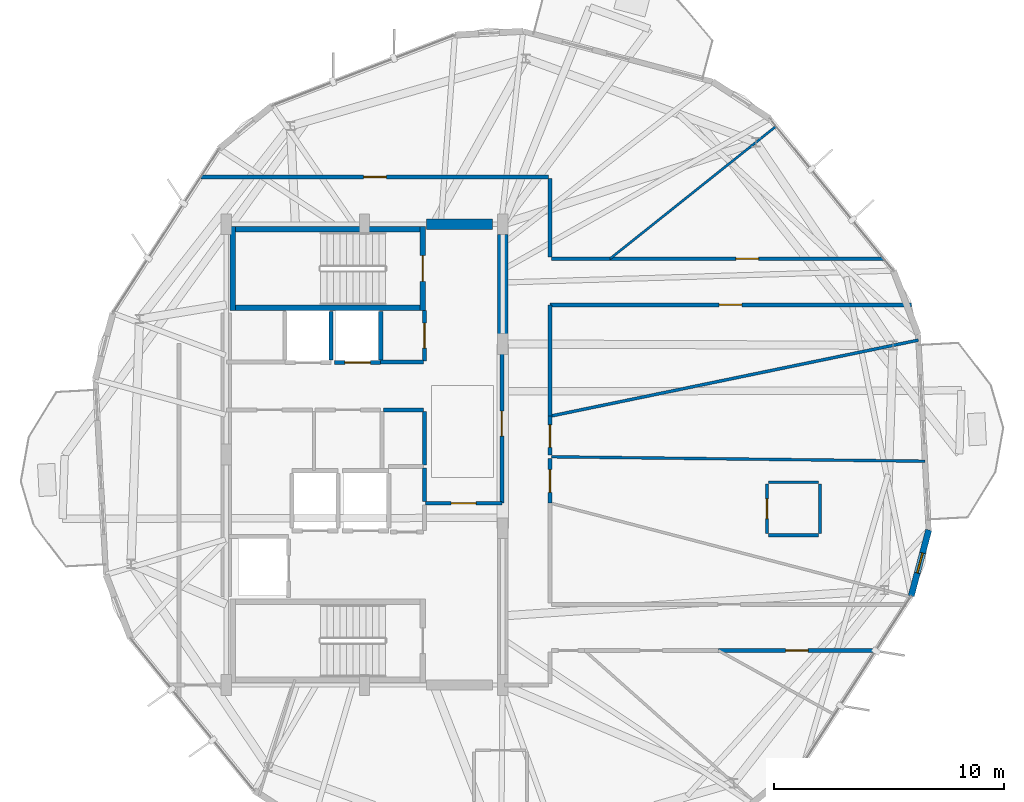
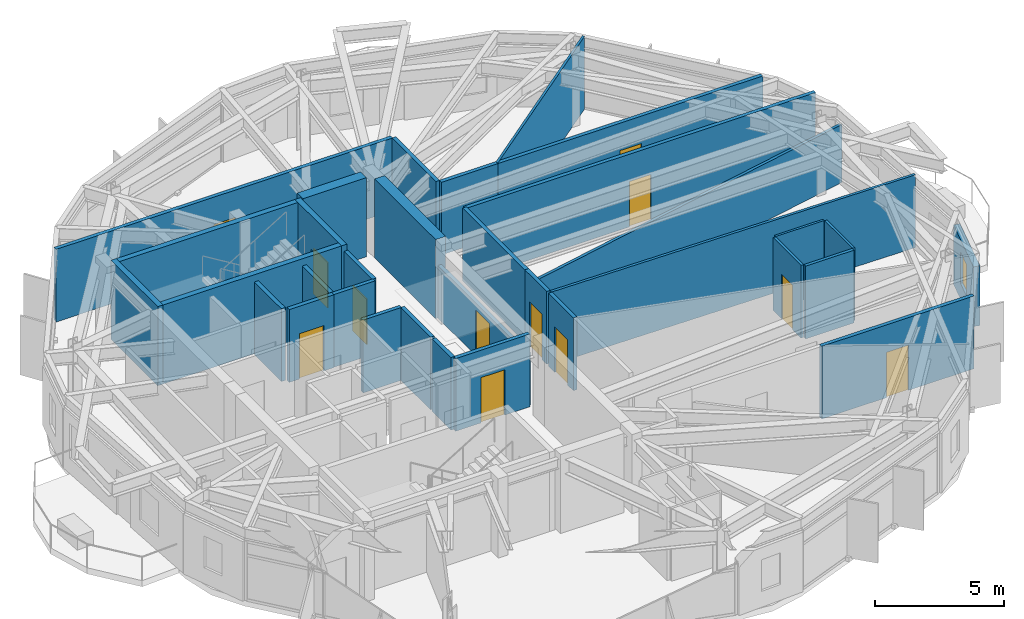
# One storey, part 22 of 26: 33 walls, 12 doors, 1 window, 13 openings.
"""IFC4 building model written with IfcOpenShell, lengths in metres."""

from ifc_helpers import new_model, si_unit, direction, frame, frame_2d, origin, place, context, subcontext, project, spatial, rectangle, extrude, material, layer, layer_set, type_object, element, fill, save


model = new_model("IFC4")

# Units and contexts
model_context = context("Model", 3, precision=1e-05, world=origin(), true_north=direction((0.0, 1.0)))
body_context = subcontext(model_context, "Body", "Model", "MODEL_VIEW")
ifc_project = project(units=[si_unit("LENGTHUNIT", "METRE"), si_unit("AREAUNIT", "SQUARE_METRE"), si_unit("VOLUMEUNIT", "CUBIC_METRE"), si_unit("PLANEANGLEUNIT", "RADIAN"), si_unit("MASSUNIT", "GRAM", prefix="KILO")], contexts=[model_context])

# Site, building, storey
site_placement = place(None, origin())
site = spatial("IfcSite", under=ifc_project, at=site_placement, CompositionType="ELEMENT")
building_placement = place(site_placement, origin())
building = spatial("IfcBuilding", under=site, at=building_placement, Name="Soratama Intermodal Tower", CompositionType="ELEMENT")
storey_placement = place(building_placement, frame((0.0, 0.0, 242.5)))
storey = spatial("IfcBuildingStorey", under=building, at=storey_placement, Name="L61", CompositionType="ELEMENT", Elevation=242.5)

# Wall, opening, window
ifc_material_1 = material(Name="Concrete f'c 42 MPa", Category="concrete")
ifc_layer_1 = layer(ifc_material_1, 0.27001953125)
ifc_layer_set_1 = layer_set([ifc_layer_1], Name="Concrete f'c 42 MPa")
wall_type_1 = type_object("IfcWallType", Name="EW-CRN-270", PredefinedType="SOLIDWALL", material=ifc_layer_set_1)
wall_1_placement = place(storey_placement, frame((62.322998046875, 18.862548828125, 0.0), z_axis=(0.0, 0.0, 1.0), x_axis=(0.256781470725, 0.966469490616, 0.0)))
wall_1 = element("IfcWall", 1, at=wall_1_placement, inside=storey, type_object=wall_type_1, Name="L61 Corner Closure Wall 08", PredefinedType="SOLIDWALL", context=body_context, shape_type="SweptSolid", body=[
    extrude(rectangle(XDim=2.96630859375, YDim=0.27001953125, at=frame_2d((1.483154296875, 0.0))), origin(), (0.0, 0.0, 1.0), 2.8291015625),
])
opening_1_placement = place(wall_1_placement, frame((1.033203125, 0.0, 0.75)))
opening_1 = element("IfcOpeningElement", 2, at=opening_1_placement, cuts=wall_1, Name="Opening WN-6", PredefinedType="OPENING", context=body_context, shape_type="SweptSolid", body=[
    extrude(rectangle(XDim=0.89990234375, YDim=1.5, at=frame_2d((0.449951171875, 0.75))), frame((0.0, 0.14501953125, 0.0), z_axis=(0.0, -1.0, 0.0), x_axis=(1.0, 0.0, 0.0)), (0.0, 0.0, 1.0), 0.2900390625),
])
ifc_material_2 = material(Name="Double-glazed aluminium window", Category="aluminium")
window_type = type_object("IfcWindowType", Name="WN-FAC-900", PartitioningType="SINGLE_PANEL", PredefinedType="WINDOW", material=ifc_material_2)
window_placement = place(opening_1_placement, origin())
window = element("IfcWindow", 3, at=window_placement, inside=storey, type_object=window_type, Name="L61 Corner Window 08", OverallHeight=1.5, OverallWidth=0.89990234375, PartitioningType="SINGLE_PANEL", PredefinedType="WINDOW", context=body_context, shape_type="SweptSolid", body=[
    extrude(rectangle(XDim=0.89990234375, YDim=1.5, at=frame_2d((0.449951171875, 0.75))), frame((0.0, 0.030029296875, 0.0), z_axis=(0.0, -1.0, 0.0), x_axis=(1.0, 0.0, 0.0)), (0.0, 0.0, 1.0), 0.06005859375),
])
fill(opening_1, window)

# Wall, opening, door
ifc_material_3 = material(Name="Fire-rated gypsum stud partition", Category="concrete")
ifc_layer_2 = layer(ifc_material_3, 0.169921875)
ifc_layer_set_2 = layer_set([ifc_layer_2], Name="Fire-rated gypsum stud partition")
wall_type_2 = type_object("IfcWallType", Name="IW-PART-R170", PredefinedType="PARTITIONING", material=ifc_layer_set_2)
wall_2_placement = place(storey_placement, frame((62.345947265625, 31.5, 0.0), z_axis=(0.0, 0.0, 1.0), x_axis=(-1.0, 0.0, 0.0)))
wall_2 = element("IfcWall", 4, at=wall_2_placement, inside=storey, type_object=wall_type_2, Name="L61 Partition W-L61-TP004", PredefinedType="PARTITIONING", context=body_context, shape_type="SweptSolid", body=[
    extrude(rectangle(XDim=15.696044921875, YDim=0.169921875, at=frame_2d((7.84814453125, 0.0))), origin(), (0.0, 0.0, 1.0), 3.449951171875),
])
opening_2_placement = place(wall_2_placement, frame((7.373046875, 0.0, 0.0)))
opening_2 = element("IfcOpeningElement", 5, at=opening_2_placement, cuts=wall_2, Name="Opening ID-5", PredefinedType="OPENING", context=body_context, shape_type="SweptSolid", body=[
    extrude(rectangle(XDim=0.97998046875, YDim=2.14990234375, at=frame_2d((0.489990234375, 1.074951171875))), frame((0.0, 0.094970703125, 0.0), z_axis=(0.0, -1.0, 0.0), x_axis=(1.0, 0.0, 0.0)), (0.0, 0.0, 1.0), 0.18994140625),
])
ifc_material_4 = material(Name="Solid hardwood acoustic door", Category="wood")
door_type_1 = type_object("IfcDoorType", Name="DR-OFF-980", OperationType="NOTDEFINED", PredefinedType="DOOR", material=ifc_material_4)
door_1_placement = place(opening_2_placement, origin())
door_1 = element("IfcDoor", 6, at=door_1_placement, inside=storey, type_object=door_type_1, Name="L61 Door D-L61-TP001", OperationType="SINGLE_SWING_RIGHT", OverallHeight=2.14990234375, OverallWidth=0.97998046875, PredefinedType="DOOR", context=body_context, shape_type="SweptSolid", body=[
    extrude(rectangle(XDim=0.97998046875, YDim=2.14990234375, at=frame_2d((0.489990234375, 1.074951171875))), frame((0.0, 0.02490234375, 0.0), z_axis=(0.0, -1.0, 0.0), x_axis=(1.0, 0.0, 0.0)), (0.0, 0.0, 1.0), 0.050048828125),
])
fill(opening_2, door_1)

wall_3_placement = place(storey_placement, frame((31.4990234375, 37.050048828125, 0.0), z_axis=(0.0, 0.0, 1.0), x_axis=(1.0, 0.0, 0.0)))
wall_3 = element("IfcWall", 7, at=wall_3_placement, inside=storey, type_object=wall_type_2, Name="L61 Partition W-L61-TP006", PredefinedType="PARTITIONING", context=body_context, shape_type="SweptSolid", body=[
    extrude(rectangle(XDim=15.0810546875, YDim=0.169921875, at=frame_2d((7.54052734375, 0.0))), origin(), (0.0, 0.0, 1.0), 3.449951171875),
])
opening_3_placement = place(wall_3_placement, frame((7.06591796875, 0.0, 0.0)))
opening_3 = element("IfcOpeningElement", 8, at=opening_3_placement, cuts=wall_3, Name="Opening ID-5", PredefinedType="OPENING", context=body_context, shape_type="SweptSolid", body=[
    extrude(rectangle(XDim=0.97998046875, YDim=2.14990234375, at=frame_2d((0.489990234375, 1.074951171875))), frame((0.0, 0.094970703125, 0.0), z_axis=(0.0, -1.0, 0.0), x_axis=(1.0, 0.0, 0.0)), (0.0, 0.0, 1.0), 0.18994140625),
])
door_2_placement = place(opening_3_placement, origin())
door_2 = element("IfcDoor", 9, at=door_2_placement, inside=storey, type_object=door_type_1, Name="L61 Door D-L61-TP003", OperationType="SINGLE_SWING_RIGHT", OverallHeight=2.14990234375, OverallWidth=0.97998046875, PredefinedType="DOOR", context=body_context, shape_type="SweptSolid", body=[
    extrude(rectangle(XDim=0.97998046875, YDim=2.14990234375, at=frame_2d((0.489990234375, 1.074951171875))), frame((0.0, 0.02490234375, 0.0), z_axis=(0.0, -1.0, 0.0), x_axis=(1.0, 0.0, 0.0)), (0.0, 0.0, 1.0), 0.050048828125),
])
fill(opening_3, door_2)

wall_4_placement = place(storey_placement, frame((49.25390625, 33.5, 0.0), z_axis=(0.0, 0.0, 1.0), x_axis=(1.0, 0.0, 0.0)))
wall_4 = element("IfcWall", 10, at=wall_4_placement, inside=storey, type_object=wall_type_2, Name="L61 Partition W-L61-TP007", PredefinedType="PARTITIONING", context=body_context, shape_type="SweptSolid", body=[
    extrude(rectangle(XDim=11.880126953125, YDim=0.169921875, at=frame_2d((5.93994140625, 0.0))), origin(), (0.0, 0.0, 1.0), 3.449951171875),
])
opening_4_placement = place(wall_4_placement, frame((5.465087890625, 0.0, 0.0)))
opening_4 = element("IfcOpeningElement", 11, at=opening_4_placement, cuts=wall_4, Name="Opening ID-5", PredefinedType="OPENING", context=body_context, shape_type="SweptSolid", body=[
    extrude(rectangle(XDim=0.97998046875, YDim=2.14990234375, at=frame_2d((0.489990234375, 1.074951171875))), frame((0.0, 0.094970703125, 0.0), z_axis=(0.0, -1.0, 0.0), x_axis=(1.0, 0.0, 0.0)), (0.0, 0.0, 1.0), 0.18994140625),
])
door_3_placement = place(opening_4_placement, origin())
door_3 = element("IfcDoor", 12, at=door_3_placement, inside=storey, type_object=door_type_1, Name="L61 Door D-L61-TP004", OperationType="SINGLE_SWING_LEFT", OverallHeight=2.14990234375, OverallWidth=0.97998046875, PredefinedType="DOOR", context=body_context, shape_type="SweptSolid", body=[
    extrude(rectangle(XDim=0.97998046875, YDim=2.14990234375, at=frame_2d((0.489990234375, 1.074951171875))), frame((0.0, 0.02490234375, 0.0), z_axis=(0.0, -1.0, 0.0), x_axis=(1.0, 0.0, 0.0)), (0.0, 0.0, 1.0), 0.050048828125),
])
fill(opening_4, door_3)

wall_5_placement = place(storey_placement, frame((44.56005859375, 29.800048828125, 0.0), z_axis=(0.0, 0.0, 1.0), x_axis=(0.0, -1.0, 0.0)))
wall_5 = element("IfcWall", 13, at=wall_5_placement, inside=storey, type_object=wall_type_2, Name="L61 Partition W-L61-TP010", PredefinedType="PARTITIONING", context=body_context, shape_type="SweptSolid", body=[
    extrude(rectangle(XDim=6.91015625, YDim=0.169921875, at=frame_2d((3.455078125, 0.0))), origin(), (0.0, 0.0, 1.0), 2.489990234375),
])
opening_5_placement = place(wall_5_placement, frame((2.9150390625, 0.0, 0.0)))
opening_5 = element("IfcOpeningElement", 14, at=opening_5_placement, cuts=wall_5, Name="Opening ID-1", PredefinedType="OPENING", context=body_context, shape_type="SweptSolid", body=[
    extrude(rectangle(XDim=1.080078125, YDim=2.14990234375, at=frame_2d((0.5400390625, 1.074951171875))), frame((0.0, 0.094970703125, 0.0), z_axis=(0.0, -1.0, 0.0), x_axis=(1.0, 0.0, 0.0)), (0.0, 0.0, 1.0), 0.18994140625),
])
ifc_material_5 = material(Name="Solid hardwood acoustic door", Category="wood")
door_type_2 = type_object("IfcDoorType", Name="DR-LOB-FD60", OperationType="NOTDEFINED", PredefinedType="DOOR", material=ifc_material_5)
door_4_placement = place(opening_5_placement, origin())
door_4 = element("IfcDoor", 15, at=door_4_placement, inside=storey, type_object=door_type_2, Name="L61 Door D-L61-TP005", OperationType="SINGLE_SWING_RIGHT", OverallHeight=2.14990234375, OverallWidth=1.080078125, PredefinedType="DOOR", context=body_context, shape_type="SweptSolid", body=[
    extrude(rectangle(XDim=1.080078125, YDim=2.14990234375, at=frame_2d((0.5400390625, 1.074951171875))), frame((0.0, 0.02490234375, 0.0), z_axis=(0.0, -1.0, 0.0), x_axis=(1.0, 0.0, 0.0)), (0.0, 0.0, 1.0), 0.050048828125),
])
fill(opening_5, door_4)

wall_6_placement = place(storey_placement, frame((60.7958984375, 16.5, 0.0), z_axis=(0.0, 0.0, 1.0), x_axis=(-1.0, 0.0, 0.0)))
wall_6 = element("IfcWall", 16, at=wall_6_placement, inside=storey, type_object=wall_type_2, Name="L61 Partition W-L61-TP011", PredefinedType="PARTITIONING", context=body_context, shape_type="SweptSolid", body=[
    extrude(rectangle(XDim=6.833984375, YDim=0.169921875, at=frame_2d((3.4169921875, 0.0))), origin(), (0.0, 0.0, 1.0), 3.449951171875),
])
opening_6_placement = place(wall_6_placement, frame((2.94189453125, 0.0, 0.0)))
opening_6 = element("IfcOpeningElement", 17, at=opening_6_placement, cuts=wall_6, Name="Opening ID-5", PredefinedType="OPENING", context=body_context, shape_type="SweptSolid", body=[
    extrude(rectangle(XDim=0.97998046875, YDim=2.14990234375, at=frame_2d((0.489990234375, 1.074951171875))), frame((0.0, 0.094970703125, 0.0), z_axis=(0.0, -1.0, 0.0), x_axis=(1.0, 0.0, 0.0)), (0.0, 0.0, 1.0), 0.18994140625),
])
door_5_placement = place(opening_6_placement, origin())
door_5 = element("IfcDoor", 18, at=door_5_placement, inside=storey, type_object=door_type_1, Name="L61 Door D-L61-TP006", OperationType="SINGLE_SWING_LEFT", OverallHeight=2.14990234375, OverallWidth=0.97998046875, PredefinedType="DOOR", context=body_context, shape_type="SweptSolid", body=[
    extrude(rectangle(XDim=0.97998046875, YDim=2.14990234375, at=frame_2d((0.489990234375, 1.074951171875))), frame((0.0, 0.02490234375, 0.0), z_axis=(0.0, -1.0, 0.0), x_axis=(1.0, 0.0, 0.0)), (0.0, 0.0, 1.0), 0.050048828125),
])
fill(opening_6, door_5)

# Walls
wall_7_placement = place(storey_placement, frame((46.64990234375, 31.5, 0.0), z_axis=(0.0, 0.0, 1.0), x_axis=(0.0, -1.0, 0.0)))
element("IfcWall", 19, at=wall_7_placement, inside=storey, type_object=wall_type_2, Name="L61 Partition W-L61-TP015", PredefinedType="PARTITIONING", context=body_context, shape_type="SweptSolid", body=[
    extrude(rectangle(XDim=4.8349609375, YDim=0.169921875, at=frame_2d((2.41748046875, 0.0))), origin(), (0.0, 0.0, 1.0), 3.449951171875),
])
wall_8_placement = place(storey_placement, frame((46.64990234375, 36.97998046875, 0.0), z_axis=(0.0, 0.0, 1.0), x_axis=(0.0, -1.0, 0.0)))
element("IfcWall", 20, at=wall_8_placement, inside=storey, type_object=wall_type_2, Name="L61 Partition W-L61-TP018", PredefinedType="PARTITIONING", context=body_context, shape_type="SweptSolid", body=[
    extrude(rectangle(XDim=3.409912109375, YDim=0.169921875, at=frame_2d((1.705078125, 0.0))), origin(), (0.0, 0.0, 1.0), 3.449951171875),
])

# Wall, opening, door
wall_9_placement = place(storey_placement, frame((41.239990234375, 22.889892578125, 0.0), z_axis=(0.0, 0.0, 1.0), x_axis=(1.0, 0.0, 0.0)))
wall_9 = element("IfcWall", 21, at=wall_9_placement, inside=storey, type_object=wall_type_2, Name="L61 Partition W-L61-TP019", PredefinedType="PARTITIONING", context=body_context, shape_type="SweptSolid", body=[
    extrude(rectangle(XDim=3.320068359375, YDim=0.169921875, at=frame_2d((1.66015625, 0.0))), origin(), (0.0, 0.0, 1.0), 3.449951171875),
])
opening_7_placement = place(wall_9_placement, frame((1.1201171875, 0.0, 0.0)))
opening_7 = element("IfcOpeningElement", 22, at=opening_7_placement, cuts=wall_9, Name="Opening ID-0", PredefinedType="OPENING", context=body_context, shape_type="SweptSolid", body=[
    extrude(rectangle(XDim=1.080078125, YDim=2.14990234375, at=frame_2d((0.5400390625, 1.074951171875))), frame((0.0, 0.094970703125, 0.0), z_axis=(0.0, -1.0, 0.0), x_axis=(1.0, 0.0, 0.0)), (0.0, 0.0, 1.0), 0.18994140625),
])
ifc_material_6 = material(Name="Solid hardwood acoustic door", Category="wood")
door_type_3 = type_object("IfcDoorType", Name="DR-LOB-FD90", OperationType="NOTDEFINED", PredefinedType="DOOR", material=ifc_material_6)
door_6_placement = place(opening_7_placement, origin())
door_6 = element("IfcDoor", 23, at=door_6_placement, inside=storey, type_object=door_type_3, Name="L61 Door D-L61-TP009", OperationType="SINGLE_SWING_RIGHT", OverallHeight=2.14990234375, OverallWidth=1.080078125, PredefinedType="DOOR", context=body_context, shape_type="SweptSolid", body=[
    extrude(rectangle(XDim=1.080078125, YDim=2.14990234375, at=frame_2d((0.5400390625, 1.074951171875))), frame((0.0, 0.02490234375, 0.0), z_axis=(0.0, -1.0, 0.0), x_axis=(1.0, 0.0, 0.0)), (0.0, 0.0, 1.0), 0.050048828125),
])
fill(opening_7, door_6)

# Walls
wall_10_placement = place(storey_placement, frame((46.719970703125, 33.5, 0.0), z_axis=(0.0, 0.0, 1.0), x_axis=(1.0, 0.0, 0.0)))
element("IfcWall", 24, at=wall_10_placement, inside=storey, type_object=wall_type_2, Name="L61 Partition W-L61-TP024", PredefinedType="PARTITIONING", context=body_context, shape_type="SweptSolid", body=[
    extrude(rectangle(XDim=2.533935546875, YDim=0.169921875, at=frame_2d((1.26708984375, 0.0))), origin(), (0.0, 0.0, 1.0), 3.449951171875),
])
wall_11_placement = place(storey_placement, frame((41.199951171875, 24.550048828125, 0.0), z_axis=(0.0, 0.0, 1.0), x_axis=(0.0, 1.0, 0.0)))
element("IfcWall", 25, at=wall_11_placement, inside=storey, type_object=wall_type_2, Name="L61 Partition W-L61-TP026", PredefinedType="PARTITIONING", context=body_context, shape_type="SweptSolid", body=[
    extrude(rectangle(XDim=2.329833984375, YDim=0.169921875, at=frame_2d((1.1650390625, 0.0))), origin(), (0.0, 0.0, 1.0), 3.449951171875),
])

# Wall, opening, door
wall_12_placement = place(storey_placement, frame((41.199951171875, 29.070068359375, 0.0), z_axis=(0.0, 0.0, 1.0), x_axis=(0.0, 1.0, 0.0)))
wall_12 = element("IfcWall", 26, at=wall_12_placement, inside=storey, type_object=wall_type_2, Name="L61 Partition W-L61-TP027", PredefinedType="PARTITIONING", context=body_context, shape_type="SweptSolid", body=[
    extrude(rectangle(XDim=2.18994140625, YDim=0.169921875, at=frame_2d((1.094970703125, 0.0))), origin(), (0.0, 0.0, 1.0), 3.449951171875),
])
opening_8_placement = place(wall_12_placement, frame((0.554931640625, 0.0, 0.0)))
opening_8 = element("IfcOpeningElement", 27, at=opening_8_placement, cuts=wall_12, Name="Opening ID-1", PredefinedType="OPENING", context=body_context, shape_type="SweptSolid", body=[
    extrude(rectangle(XDim=1.080078125, YDim=2.14990234375, at=frame_2d((0.5400390625, 1.074951171875))), frame((0.0, 0.094970703125, 0.0), z_axis=(0.0, -1.0, 0.0), x_axis=(1.0, 0.0, 0.0)), (0.0, 0.0, 1.0), 0.18994140625),
])
door_7_placement = place(opening_8_placement, origin())
door_7 = element("IfcDoor", 28, at=door_7_placement, inside=storey, type_object=door_type_2, Name="L61 Door D-L61-TP012", OperationType="SINGLE_SWING_LEFT", OverallHeight=2.14990234375, OverallWidth=1.080078125, PredefinedType="DOOR", context=body_context, shape_type="SweptSolid", body=[
    extrude(rectangle(XDim=1.080078125, YDim=2.14990234375, at=frame_2d((0.5400390625, 1.074951171875))), frame((0.0, 0.02490234375, 0.0), z_axis=(0.0, -1.0, 0.0), x_axis=(1.0, 0.0, 0.0)), (0.0, 0.0, 1.0), 0.050048828125),
])
fill(opening_8, door_7)

wall_13_placement = place(storey_placement, frame((46.64990234375, 24.833984375, 0.0), z_axis=(0.0, 0.0, 1.0), x_axis=(0.0, -1.0, 0.0)))
wall_13 = element("IfcWall", 29, at=wall_13_placement, inside=storey, type_object=wall_type_2, Name="L61 Partition W-L61-TP036", PredefinedType="PARTITIONING", context=body_context, shape_type="SweptSolid", body=[
    extrude(rectangle(XDim=1.93310546875, YDim=0.169921875, at=frame_2d((0.966552734375, 0.0))), origin(), (0.0, 0.0, 1.0), 3.449951171875),
])
opening_9_placement = place(wall_13_placement, frame((0.490966796875, 0.0, 0.0)))
opening_9 = element("IfcOpeningElement", 30, at=opening_9_placement, cuts=wall_13, Name="Opening ID-5", PredefinedType="OPENING", context=body_context, shape_type="SweptSolid", body=[
    extrude(rectangle(XDim=0.97998046875, YDim=2.14990234375, at=frame_2d((0.489990234375, 1.074951171875))), frame((0.0, 0.094970703125, 0.0), z_axis=(0.0, -1.0, 0.0), x_axis=(1.0, 0.0, 0.0)), (0.0, 0.0, 1.0), 0.18994140625),
])
door_8_placement = place(opening_9_placement, origin())
door_8 = element("IfcDoor", 31, at=door_8_placement, inside=storey, type_object=door_type_1, Name="L61 Door D-L61-TP015", OperationType="SINGLE_SWING_RIGHT", OverallHeight=2.14990234375, OverallWidth=0.97998046875, PredefinedType="DOOR", context=body_context, shape_type="SweptSolid", body=[
    extrude(rectangle(XDim=0.97998046875, YDim=2.14990234375, at=frame_2d((0.489990234375, 1.074951171875))), frame((0.0, 0.02490234375, 0.0), z_axis=(0.0, -1.0, 0.0), x_axis=(1.0, 0.0, 0.0)), (0.0, 0.0, 1.0), 0.050048828125),
])
fill(opening_9, door_8)

# Walls
wall_14_placement = place(storey_placement, frame((39.300048828125, 29.010009765625, 0.0), z_axis=(0.0, 0.0, 1.0), x_axis=(1.0, 0.0, 0.0)))
element("IfcWall", 32, at=wall_14_placement, inside=storey, type_object=wall_type_2, Name="L61 Partition W-L61-TP037", PredefinedType="PARTITIONING", context=body_context, shape_type="SweptSolid", body=[
    extrude(rectangle(XDim=1.85986328125, YDim=0.169921875, at=frame_2d((0.929931640625, 0.0))), origin(), (0.0, 0.0, 1.0), 3.449951171875),
])
wall_15_placement = place(storey_placement, frame((41.159912109375, 26.93994140625, 0.0), z_axis=(0.0, 0.0, 1.0), x_axis=(-1.0, 0.0, 0.0)))
element("IfcWall", 33, at=wall_15_placement, inside=storey, type_object=wall_type_2, Name="L61 Partition W-L61-TP038", PredefinedType="PARTITIONING", context=body_context, shape_type="SweptSolid", body=[
    extrude(rectangle(XDim=1.739990234375, YDim=0.169921875, at=frame_2d((0.8701171875, 0.0))), origin(), (0.0, 0.0, 1.0), 3.449951171875),
])

# Wall, opening, door
wall_16_placement = place(storey_placement, frame((46.64990234375, 26.6650390625, 0.0), z_axis=(0.0, 0.0, 1.0), x_axis=(0.0, -1.0, 0.0)))
wall_16 = element("IfcWall", 34, at=wall_16_placement, inside=storey, type_object=wall_type_2, Name="L61 Partition W-L61-TP039", PredefinedType="PARTITIONING", context=body_context, shape_type="SweptSolid", body=[
    extrude(rectangle(XDim=1.69091796875, YDim=0.169921875, at=frame_2d((0.845458984375, 0.0))), origin(), (0.0, 0.0, 1.0), 3.449951171875),
])
opening_10_placement = place(wall_16_placement, frame((0.3701171875, 0.0, 0.0)))
opening_10 = element("IfcOpeningElement", 35, at=opening_10_placement, cuts=wall_16, Name="Opening ID-5", PredefinedType="OPENING", context=body_context, shape_type="SweptSolid", body=[
    extrude(rectangle(XDim=0.97998046875, YDim=2.14990234375, at=frame_2d((0.489990234375, 1.074951171875))), frame((0.0, 0.094970703125, 0.0), z_axis=(0.0, -1.0, 0.0), x_axis=(1.0, 0.0, 0.0)), (0.0, 0.0, 1.0), 0.18994140625),
])
door_9_placement = place(opening_10_placement, origin())
door_9 = element("IfcDoor", 36, at=door_9_placement, inside=storey, type_object=door_type_1, Name="L61 Door D-L61-TP016", OperationType="SINGLE_SWING_LEFT", OverallHeight=2.14990234375, OverallWidth=0.97998046875, PredefinedType="DOOR", context=body_context, shape_type="SweptSolid", body=[
    extrude(rectangle(XDim=0.97998046875, YDim=2.14990234375, at=frame_2d((0.489990234375, 1.074951171875))), frame((0.0, 0.02490234375, 0.0), z_axis=(0.0, -1.0, 0.0), x_axis=(1.0, 0.0, 0.0)), (0.0, 0.0, 1.0), 0.050048828125),
])
fill(opening_10, door_9)

# Walls
wall_17_placement = place(storey_placement, frame((41.199951171875, 22.9599609375, 0.0), z_axis=(0.0, 0.0, 1.0), x_axis=(0.0, 1.0, 0.0)))
element("IfcWall", 37, at=wall_17_placement, inside=storey, type_object=wall_type_2, Name="L61 Partition W-L61-TP041", PredefinedType="PARTITIONING", context=body_context, shape_type="SweptSolid", body=[
    extrude(rectangle(XDim=1.4599609375, YDim=0.169921875, at=frame_2d((0.72998046875, 0.0))), origin(), (0.0, 0.0, 1.0), 3.449951171875),
])
ifc_material_7 = material(Name="Fire-rated gypsum stud partition", Category="concrete")
ifc_layer_3 = layer(ifc_material_7, 0.10009765625)
ifc_layer_set_3 = layer_set([ifc_layer_3], Name="Fire-rated gypsum stud partition")
wall_type_3 = type_object("IfcWallType", Name="IW-PART-S100", PredefinedType="PARTITIONING", material=ifc_layer_set_3)
wall_18_placement = place(storey_placement, frame((49.25390625, 33.5, 0.0), z_axis=(0.0, 0.0, 1.0), x_axis=(0.781767361653, 0.623570198337, 0.0)))
element("IfcWall", 38, at=wall_18_placement, inside=storey, type_object=wall_type_3, Name="L61 Partition W-L61-TP009", PredefinedType="PARTITIONING", context=body_context, shape_type="SweptSolid", body=[
    extrude(rectangle(XDim=9.21630859375, YDim=0.10009765625, at=frame_2d((4.608154296875, 0.0))), origin(), (0.0, 0.0, 1.0), 3.449951171875),
])
wall_19_placement = place(storey_placement, frame((58.297119140625, 23.798095703125, 0.0), z_axis=(0.0, 0.0, 1.0), x_axis=(-1.0, 0.0, 0.0)))
element("IfcWall", 39, at=wall_19_placement, inside=storey, type_object=wall_type_3, Name="L61 Partition W-L61-TP034", PredefinedType="PARTITIONING", context=body_context, shape_type="SweptSolid", body=[
    extrude(rectangle(XDim=2.16015625, YDim=0.10009765625, at=frame_2d((1.080078125, 0.0))), origin(), (0.0, 0.0, 1.0), 3.449951171875),
])
ifc_material_8 = material(Name="Fire-rated gypsum stud partition", Category="concrete")
ifc_layer_4 = layer(ifc_material_8, 0.110107421875)
ifc_layer_set_4 = layer_set([ifc_layer_4], Name="Fire-rated gypsum stud partition")
wall_type_4 = type_object("IfcWallType", Name="IW-PART-S110", PredefinedType="PARTITIONING", material=ifc_layer_set_4)
wall_20_placement = place(storey_placement, frame((58.366943359375, 21.568115234375, 0.0), z_axis=(0.0, 0.0, 1.0), x_axis=(0.0, 1.0, 0.0)))
element("IfcWall", 40, at=wall_20_placement, inside=storey, type_object=wall_type_4, Name="L61 Partition W-L61-TP033", PredefinedType="PARTITIONING", context=body_context, shape_type="SweptSolid", body=[
    extrude(rectangle(XDim=2.159912109375, YDim=0.110107421875, at=frame_2d((1.080078125, 0.0))), origin(), (0.0, 0.0, 1.0), 3.449951171875),
])
ifc_material_9 = material(Name="Fire-rated gypsum stud partition", Category="concrete")
ifc_layer_5 = layer(ifc_material_9, 0.1201171875)
ifc_layer_set_5 = layer_set([ifc_layer_5], Name="Fire-rated gypsum stud partition")
wall_type_5 = type_object("IfcWallType", Name="IW-PART-S120", PredefinedType="PARTITIONING", material=ifc_layer_set_5)
wall_21_placement = place(storey_placement, frame((62.922119140625, 24.712890625, 0.0), z_axis=(0.0, 0.0, 1.0), x_axis=(-0.999930395803, 0.011798455394, 0.0)))
element("IfcWall", 41, at=wall_21_placement, inside=storey, type_object=wall_type_5, Name="L61 Partition W-L61-TP002", PredefinedType="PARTITIONING", context=body_context, shape_type="SweptSolid", body=[
    extrude(rectangle(XDim=16.202392578125, YDim=0.1201171875, at=frame_2d((8.10107421875, 0.0))), origin(), (0.0, 0.0, 1.0), 3.449951171875),
])

# Wall, opening, door
wall_22_placement = place(storey_placement, frame((56.06689453125, 23.72802734375, 0.0), z_axis=(0.0, 0.0, 1.0), x_axis=(0.0, -1.0, 0.0)))
wall_22 = element("IfcWall", 42, at=wall_22_placement, inside=storey, type_object=wall_type_5, Name="L61 Partition W-L61-TP032", PredefinedType="PARTITIONING", context=body_context, shape_type="SweptSolid", body=[
    extrude(rectangle(XDim=2.159912109375, YDim=0.1201171875, at=frame_2d((1.080078125, 0.0))), origin(), (0.0, 0.0, 1.0), 3.449951171875),
])
opening_11_placement = place(wall_22_placement, frame((0.655029296875, 0.0, 0.0)))
opening_11 = element("IfcOpeningElement", 43, at=opening_11_placement, cuts=wall_22, Name="Opening ID-4", PredefinedType="OPENING", context=body_context, shape_type="SweptSolid", body=[
    extrude(rectangle(XDim=0.85009765625, YDim=2.10009765625, at=frame_2d((0.425048828125, 1.050048828125))), frame((0.0, 0.070068359375, 0.0), z_axis=(0.0, -1.0, 0.0), x_axis=(1.0, 0.0, 0.0)), (0.0, 0.0, 1.0), 0.14013671875),
])
ifc_material_10 = material(Name="Solid hardwood acoustic door", Category="wood")
door_type_4 = type_object("IfcDoorType", Name="DR-BATH-850", OperationType="NOTDEFINED", PredefinedType="DOOR", material=ifc_material_10)
door_10_placement = place(opening_11_placement, origin())
door_10 = element("IfcDoor", 44, at=door_10_placement, inside=storey, type_object=door_type_4, Name="L61 Door D-L61-TP014", OperationType="SINGLE_SWING_LEFT", OverallHeight=2.10009765625, OverallWidth=0.85009765625, PredefinedType="DOOR", context=body_context, shape_type="SweptSolid", body=[
    extrude(rectangle(XDim=0.85009765625, YDim=2.10009765625, at=frame_2d((0.425048828125, 1.050048828125))), frame((0.0, 0.02490234375, 0.0), z_axis=(0.0, -1.0, 0.0), x_axis=(1.0, 0.0, 0.0)), (0.0, 0.0, 1.0), 0.050048828125),
])
fill(opening_11, door_10)

# Walls
ifc_material_11 = material(Name="Fire-rated gypsum stud partition", Category="concrete")
ifc_layer_6 = layer(ifc_material_11, 0.1298828125)
ifc_layer_set_6 = layer_set([ifc_layer_6], Name="Fire-rated gypsum stud partition")
wall_type_6 = type_object("IfcWallType", Name="IW-PART-S130", PredefinedType="PARTITIONING", material=ifc_layer_set_6)
wall_23_placement = place(storey_placement, frame((46.64990234375, 26.6650390625, 0.0), z_axis=(0.0, 0.0, 1.0), x_axis=(0.979314922028, 0.202341996367, 0.0)))
element("IfcWall", 45, at=wall_23_placement, inside=storey, type_object=wall_type_6, Name="L61 Partition W-L61-TP001", PredefinedType="PARTITIONING", context=body_context, shape_type="SweptSolid", body=[
    extrude(rectangle(XDim=16.32373046875, YDim=0.1298828125, at=frame_2d((8.161865234375, 0.0))), origin(), (0.0, 0.0, 1.0), 2.7451171875),
])
ifc_material_12 = material(Name="Fire-rated gypsum stud partition", Category="concrete")
ifc_layer_7 = layer(ifc_material_12, 0.139892578125)
ifc_layer_set_7 = layer_set([ifc_layer_7], Name="Fire-rated gypsum stud partition")
wall_type_7 = type_object("IfcWallType", Name="IW-PART-S140", PredefinedType="PARTITIONING", material=ifc_layer_set_7)
wall_24_placement = place(storey_placement, frame((56.136962890625, 21.498046875, 0.0), z_axis=(0.0, 0.0, 1.0), x_axis=(1.0, 0.0, 0.0)))
element("IfcWall", 46, at=wall_24_placement, inside=storey, type_object=wall_type_7, Name="L61 Partition W-L61-TP035", PredefinedType="PARTITIONING", context=body_context, shape_type="SweptSolid", body=[
    extrude(rectangle(XDim=2.16015625, YDim=0.139892578125, at=frame_2d((1.080078125, 0.0))), origin(), (0.0, 0.0, 1.0), 3.449951171875),
])
ifc_material_13 = material(Name="Concrete f'c 42 MPa", Category="concrete")
ifc_layer_8 = layer(ifc_material_13, 0.18505859375)
ifc_layer_set_8 = layer_set([ifc_layer_8], Name="Concrete f'c 42 MPa")
wall_type_8 = type_object("IfcWallType", Name="IW-SHAFT-185", PredefinedType="SOLIDWALL", material=ifc_layer_set_8)
wall_25_placement = place(storey_placement, frame((37.14990234375, 29.110107421875, 0.0), z_axis=(0.0, 0.0, 1.0), x_axis=(0.0, 1.0, 0.0)))
element("IfcWall", 47, at=wall_25_placement, inside=storey, type_object=wall_type_8, Name="L61 PL-H1 Hoistway Wall E", PredefinedType="SOLIDWALL", context=body_context, shape_type="SweptSolid", body=[
    extrude(rectangle(XDim=2.099853515625, YDim=0.18505859375, at=frame_2d((1.0498046875, 0.0))), origin(), (0.0, 0.0, 1.0), 3.449951171875),
])

# Wall, opening, door
wall_26_placement = place(storey_placement, frame((37.300048828125, 29.0, 0.0), z_axis=(0.0, 0.0, 1.0), x_axis=(1.0, 0.0, 0.0)))
wall_26 = element("IfcWall", 48, at=wall_26_placement, inside=storey, type_object=wall_type_8, Name="L61 PL-H2 Hoistway Wall S", PredefinedType="SOLIDWALL", context=body_context, shape_type="SweptSolid", body=[
    extrude(rectangle(XDim=2.0, YDim=0.18505859375, at=frame_2d((1.0, 0.0))), origin(), (0.0, 0.0, 1.0), 3.449951171875),
])
opening_12_placement = place(wall_26_placement, frame((0.449951171875, 0.0, 0.0)))
opening_12 = element("IfcOpeningElement", 49, at=opening_12_placement, cuts=wall_26, Name="Opening LD-1", PredefinedType="OPENING", context=body_context, shape_type="SweptSolid", body=[
    extrude(rectangle(XDim=1.10009765625, YDim=2.14990234375, at=frame_2d((0.550048828125, 1.074951171875))), frame((0.0, 0.1025390625, 0.0), z_axis=(0.0, -1.0, 0.0), x_axis=(1.0, 0.0, 0.0)), (0.0, 0.0, 1.0), 0.205078125),
])
ifc_material_14 = material(Name="Steel fire door", Category="steel")
door_type_5 = type_object("IfcDoorType", Name="DR-LIFT-SLIDE", OperationType="NOTDEFINED", PredefinedType="DOOR", material=ifc_material_14)
door_11_placement = place(opening_12_placement, origin())
door_11 = element("IfcDoor", 50, at=door_11_placement, inside=storey, type_object=door_type_5, Name="L61 PL-H2 Sliding Landing Door", OperationType="SLIDING_TO_LEFT", OverallHeight=2.14990234375, OverallWidth=1.10009765625, PredefinedType="DOOR", context=body_context, shape_type="SweptSolid", body=[
    extrude(rectangle(XDim=1.10009765625, YDim=2.14990234375, at=frame_2d((0.550048828125, 1.074951171875))), frame((0.0, 0.02490234375, 0.0), z_axis=(0.0, -1.0, 0.0), x_axis=(1.0, 0.0, 0.0)), (0.0, 0.0, 1.0), 0.050048828125),
])
fill(opening_12, door_11)

# Walls
wall_27_placement = place(storey_placement, frame((39.300048828125, 29.110107421875, 0.0), z_axis=(0.0, 0.0, 1.0), x_axis=(0.0, 1.0, 0.0)))
element("IfcWall", 51, at=wall_27_placement, inside=storey, type_object=wall_type_8, Name="L61 PL-H2 Hoistway Wall E", PredefinedType="SOLIDWALL", context=body_context, shape_type="SweptSolid", body=[
    extrude(rectangle(XDim=2.099853515625, YDim=0.18505859375, at=frame_2d((1.0498046875, 0.0))), origin(), (0.0, 0.0, 1.0), 3.449951171875),
])
ifc_material_15 = material(Name="Concrete f'c 56 MPa", Category="concrete")
ifc_layer_9 = layer(ifc_material_15, 0.449951171875)
ifc_layer_set_9 = layer_set([ifc_layer_9], Name="Concrete f'c 56 MPa")
wall_type_9 = type_object("IfcWallType", Name="SW-CORE-450", PredefinedType="SHEAR", material=ifc_layer_set_9)
wall_28_placement = place(storey_placement, frame((41.300048828125, 35.0, 0.0), z_axis=(0.0, 0.0, 1.0), x_axis=(1.0, 0.0, 0.0)))
element("IfcWall", 52, at=wall_28_placement, inside=storey, type_object=wall_type_9, Name="L61 Core Shear Wall CW-NE", PredefinedType="SHEAR", context=body_context, shape_type="SweptSolid", body=[
    extrude(rectangle(XDim=2.849853515625, YDim=0.449951171875, at=frame_2d((1.4248046875, 0.0))), origin(), (0.0, 0.0, 1.0), 3.75),
])
wall_29_placement = place(storey_placement, frame((44.60009765625, 29.800048828125, 0.0), z_axis=(0.0, 0.0, 1.0), x_axis=(0.0, 1.0, 0.0)))
element("IfcWall", 53, at=wall_29_placement, inside=storey, type_object=wall_type_9, Name="L61 Core Shear Wall CW-EN", PredefinedType="SHEAR", context=body_context, shape_type="SweptSolid", body=[
    extrude(rectangle(XDim=4.75, YDim=0.449951171875, at=frame_2d((2.375, 0.0))), origin(), (0.0, 0.0, 1.0), 3.75),
])
ifc_material_16 = material(Name="Concrete f'c 56 MPa", Category="concrete")
ifc_layer_10 = layer(ifc_material_16, 0.239990234375)
ifc_layer_set_10 = layer_set([ifc_layer_10], Name="Concrete f'c 56 MPa")
wall_type_10 = type_object("IfcWallType", Name="SW-STAIR-240", PredefinedType="SHEAR", material=ifc_layer_set_10)
wall_30_placement = place(storey_placement, frame((32.8798828125, 31.260009765625, 0.0), z_axis=(0.0, 0.0, 1.0), x_axis=(0.0, 1.0, 0.0)))
element("IfcWall", 54, at=wall_30_placement, inside=storey, type_object=wall_type_10, Name="L61 ST-2 Shaft Shear Wall W", PredefinedType="SHEAR", context=body_context, shape_type="SweptSolid", body=[
    extrude(rectangle(XDim=3.6298828125, YDim=0.239990234375, at=frame_2d((1.81494140625, 0.0))), origin(), (0.0, 0.0, 1.0), 3.75),
])

# Wall, opening, door
wall_31_placement = place(storey_placement, frame((41.1201171875, 31.260009765625, 0.0), z_axis=(0.0, 0.0, 1.0), x_axis=(0.0, 1.0, 0.0)))
wall_31 = element("IfcWall", 55, at=wall_31_placement, inside=storey, type_object=wall_type_10, Name="L61 ST-2 Shaft Shear Wall E", PredefinedType="SHEAR", context=body_context, shape_type="SweptSolid", body=[
    extrude(rectangle(XDim=3.6298828125, YDim=0.239990234375, at=frame_2d((1.81494140625, 0.0))), origin(), (0.0, 0.0, 1.0), 3.75),
])
opening_13_placement = place(wall_31_placement, frame((1.2548828125, 0.0, 0.0)))
opening_13 = element("IfcOpeningElement", 56, at=opening_13_placement, cuts=wall_31, Name="Opening SD-1", PredefinedType="OPENING", context=body_context, shape_type="SweptSolid", body=[
    extrude(rectangle(XDim=1.1201171875, YDim=2.14990234375, at=frame_2d((0.56005859375, 1.074951171875))), frame((0.0, 0.1298828125, 0.0), z_axis=(0.0, -1.0, 0.0), x_axis=(1.0, 0.0, 0.0)), (0.0, 0.0, 1.0), 0.260009765625),
])
ifc_material_17 = material(Name="Steel fire door", Category="steel")
door_type_6 = type_object("IfcDoorType", Name="DR-STAIR-FD90", OperationType="NOTDEFINED", PredefinedType="DOOR", material=ifc_material_17)
door_12_placement = place(opening_13_placement, origin())
door_12 = element("IfcDoor", 57, at=door_12_placement, inside=storey, type_object=door_type_6, Name="L61 ST-2 Exit Stair Door", OperationType="SINGLE_SWING_RIGHT", OverallHeight=2.14990234375, OverallWidth=1.1201171875, PredefinedType="DOOR", context=body_context, shape_type="SweptSolid", body=[
    extrude(rectangle(XDim=1.1201171875, YDim=2.14990234375, at=frame_2d((0.56005859375, 1.074951171875))), frame((0.0, 0.02490234375, 0.0), z_axis=(0.0, -1.0, 0.0), x_axis=(1.0, 0.0, 0.0)), (0.0, 0.0, 1.0), 0.050048828125),
])
fill(opening_13, door_12)

# Walls
for number, where, z_axis, x_axis, name in (
    (58, (33.0, 31.3798828125, 0.0), (0.0, 0.0, 1.0), (1.0, 0.0, 0.0), "L61 ST-2 Shaft Shear Wall S"),
    (59, (33.0, 34.77001953125, 0.0), (0.0, 0.0, 1.0), (1.0, 0.0, 0.0), "L61 ST-2 Shaft Shear Wall N"),
):
    element("IfcWall", number, at=place(storey_placement, frame(where, z_axis=z_axis, x_axis=x_axis)), inside=storey, type_object=wall_type_10, Name=name, PredefinedType="SHEAR", context=body_context, shape_type="SweptSolid", body=[
        extrude(rectangle(XDim=8.0, YDim=0.239990234375, at=frame_2d((4.0, 0.0))), origin(), (0.0, 0.0, 1.0), 3.75),
    ])

save(model, "model.ifc")
